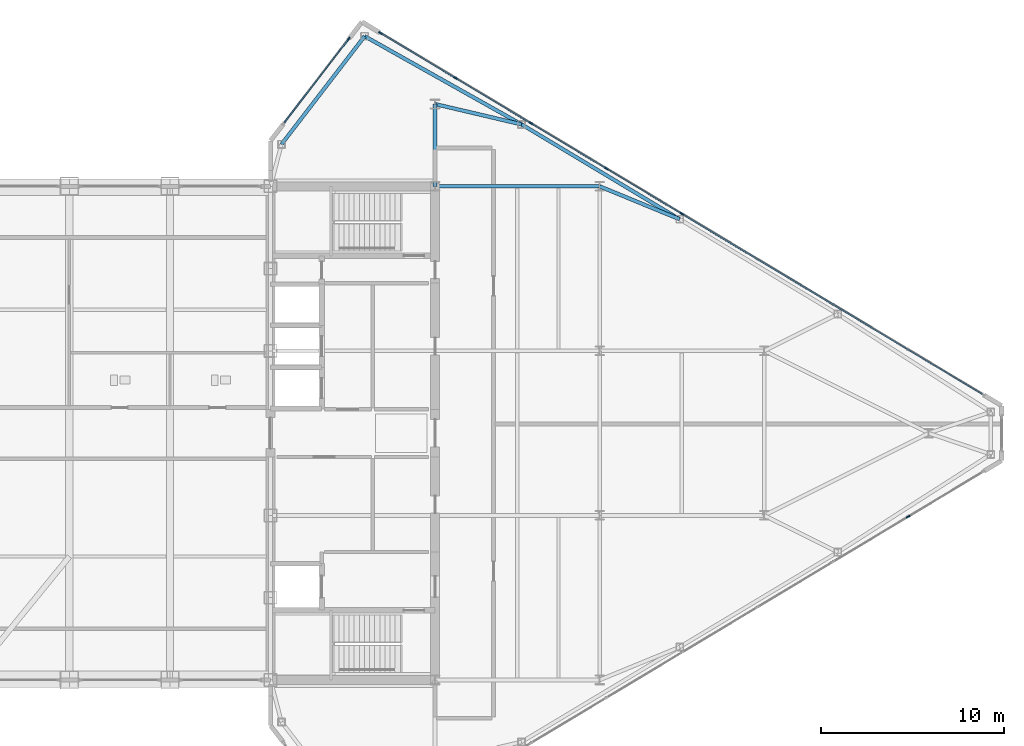
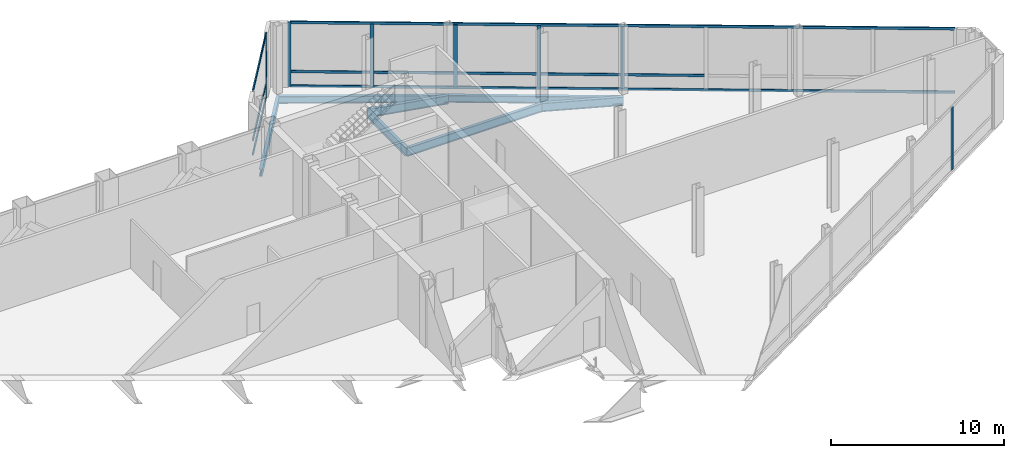
# One storey, part 17 of 29: 17 members, 7 beams, 3 elements without a shape of their own.
"""IFC4 building model written with IfcOpenShell, lengths in metres."""

import ifcopenshell
import ifcopenshell.guid

model = None  # the IFC model being written
_history = None  # IfcOwnerHistory: only IFC2X3 demands one
_inside = {}  # id of a spatial element -> (the spatial element, [elements in it])
_under = {}  # id of a project, library or spatial element -> (it, [spatial elements below it])
_declared = {}  # id of a project -> (the project, [libraries it declares])
_typed = {}  # id of a type object -> (the type object, [elements of that type])
_made_of = {}  # id of a material, layer set ... -> (it, [elements and type objects made of it])


def new_model(schema):
    """Start an empty IFC model of exactly this schema.

    Asked for "IFC4X3", IfcOpenShell would pick the latest addendum, in which some entities
    have other attributes; the version numbers below select the first issue.
    IFC2X3 requires an IfcOwnerHistory on every rooted entity: one is made here for all.
    """
    global model, _history
    if schema == "IFC4X3":
        model = ifcopenshell.file(schema_version=(4, 3, 0, 0))
    else:
        model = ifcopenshell.file(schema=schema)
    _inside.clear()
    _under.clear()
    _declared.clear()
    _typed.clear()
    _made_of.clear()
    _history = None
    if model.schema == "IFC2X3":
        org = make("IfcOrganization", Name="unknown")
        user = make(
            "IfcPersonAndOrganization",
            ThePerson=make("IfcPerson", FamilyName="unknown"),
            TheOrganization=org,
        )
        app = make(
            "IfcApplication",
            ApplicationDeveloper=org,
            Version="unknown",
            ApplicationFullName="unknown",
            ApplicationIdentifier="unknown",
        )
        _history = make(
            "IfcOwnerHistory",
            OwningUser=user,
            OwningApplication=app,
            ChangeAction="ADDED",
            CreationDate=0,
        )
    return model


def make(cls, **values):
    """One entity of the class cls with the attributes given. An attribute that is None is left unset."""
    return model.create_entity(
        cls, **{name: value for name, value in values.items() if value is not None}
    )


def rooted(cls, **values):
    """An entity with a GlobalId (a new one), such as an element, a storey or a relation."""
    return make(cls, GlobalId=ifcopenshell.guid.new(), OwnerHistory=_history, **values)


def si_unit(unit_type, name, prefix=None):
    """IfcSIUnit, for example si_unit("LENGTHUNIT", "METRE", prefix="MILLI")."""
    return make("IfcSIUnit", UnitType=unit_type, Prefix=prefix, Name=name)


def assignment(units):
    """IfcUnitAssignment: the units of a project."""
    return None if units is None else make("IfcUnitAssignment", Units=units)


def point(xyz):
    """IfcCartesianPoint."""
    return None if xyz is None else make("IfcCartesianPoint", Coordinates=xyz)


def direction(xyz):
    """IfcDirection."""
    return None if xyz is None else make("IfcDirection", DirectionRatios=xyz)


def frame(location, z_axis=None, x_axis=None):
    """IfcAxis2Placement3D, a coordinate frame: its origin and axes. An axis left out is left unset."""
    return make(
        "IfcAxis2Placement3D",
        Location=point(location),
        Axis=direction(z_axis),
        RefDirection=direction(x_axis),
    )


def frame_2d(location, x_axis=None):
    """IfcAxis2Placement2D, a coordinate frame in the plane: its origin and x axis."""
    return make(
        "IfcAxis2Placement2D", Location=point(location), RefDirection=direction(x_axis)
    )


def origin():
    """The frame at (0, 0, 0) with its axes left unset."""
    return frame((0.0, 0.0, 0.0))


def origin_2d():
    """The frame at (0, 0) in the plane with its x axis left unset."""
    return frame_2d((0.0, 0.0))


def place(relative_to, where):
    """IfcLocalPlacement: puts the frame where relative to a parent placement (None: the world)."""
    return make(
        "IfcLocalPlacement", PlacementRelTo=relative_to, RelativePlacement=where
    )


def context(
    kind, dimensions, precision=None, world=None, true_north=None, identifier=None
):
    """IfcGeometricRepresentationContext, for example the 3D "Model" context."""
    return make(
        "IfcGeometricRepresentationContext",
        ContextIdentifier=identifier,
        ContextType=kind,
        CoordinateSpaceDimension=dimensions,
        Precision=precision,
        WorldCoordinateSystem=world,
        TrueNorth=true_north,
    )


def subcontext(parent, identifier, kind, view, scale=None):
    """IfcGeometricRepresentationSubContext, for example "Body" below "Model"."""
    return make(
        "IfcGeometricRepresentationSubContext",
        ContextIdentifier=identifier,
        ContextType=kind,
        ParentContext=parent,
        TargetScale=scale,
        TargetView=view,
    )


def project(units=None, contexts=None):
    """IfcProject with its units and contexts."""
    return rooted(
        "IfcProject",
        Name="project",
        RepresentationContexts=contexts,
        UnitsInContext=assignment(units),
    )


def spatial(cls, under=None, at=None, **own):
    """A site, building, storey or space (cls), placed at a placement, below another one or the project."""
    s = rooted(cls, ObjectPlacement=at, **own)
    if under is not None:
        _under.setdefault(under.id(), (under, []))[1].append(s)
    return s


def profile(cls, at=None, kind="AREA", **sizes):
    """A parametric profile (cls). Its sizes go by their IFC names, for example OverallWidth=200.0."""
    return make(cls, ProfileType=kind, Position=at, **sizes)


def rectangle(**sizes):
    """IfcRectangleProfileDef."""
    return profile("IfcRectangleProfileDef", **sizes)


def i_section(**sizes):
    """IfcIShapeProfileDef."""
    return profile("IfcIShapeProfileDef", **sizes)


def extrude(swept, where, along, depth):
    """IfcExtrudedAreaSolid: the profile swept, set in the frame where, extruded along a direction by depth."""
    return make(
        "IfcExtrudedAreaSolid",
        SweptArea=swept,
        Position=where,
        ExtrudedDirection=direction(along),
        Depth=depth,
    )


def shape(context_of_items, identifier, shape_type, items):
    """IfcShapeRepresentation: the items that make up one representation, for example the "Body"."""
    return make(
        "IfcShapeRepresentation",
        ContextOfItems=context_of_items,
        RepresentationIdentifier=identifier,
        RepresentationType=shape_type,
        Items=items,
    )


def source(mapping_origin, context_of_items, identifier, shape_type, items):
    """IfcRepresentationMap: a shape defined once, which mapped items show again and again."""
    return make(
        "IfcRepresentationMap",
        MappingOrigin=mapping_origin,
        MappedRepresentation=shape(context_of_items, identifier, shape_type, items),
    )


def transform(
    local_origin,
    x_axis=None,
    y_axis=None,
    z_axis=None,
    scale=None,
    scale2=None,
    scale3=None,
    uniform=True,
):
    """IfcCartesianTransformationOperator3D, or its non-uniform kind. x_axis, y_axis, z_axis: its Axis1, 2, 3."""
    if uniform:
        return make(
            "IfcCartesianTransformationOperator3D",
            Axis1=direction(x_axis),
            Axis2=direction(y_axis),
            LocalOrigin=point(local_origin),
            Scale=scale,
            Axis3=direction(z_axis),
        )
    return make(
        "IfcCartesianTransformationOperator3DnonUniform",
        Axis1=direction(x_axis),
        Axis2=direction(y_axis),
        LocalOrigin=point(local_origin),
        Scale=scale,
        Axis3=direction(z_axis),
        Scale2=scale2,
        Scale3=scale3,
    )


def mapped(mapping_source, mapping_target):
    """IfcMappedItem: shows the shape of a source again, moved by a transform."""
    return make(
        "IfcMappedItem", MappingSource=mapping_source, MappingTarget=mapping_target
    )


def material(Name=None, Category=None):
    """IfcMaterial."""
    return make("IfcMaterial", Name=Name, Category=Category)


def layer(
    of_material, thickness, ventilated=None, Name=None, Category=None, Priority=None
):
    """IfcMaterialLayer: one layer of a wall or slab, of a material (None: an air gap)."""
    return make(
        "IfcMaterialLayer",
        Material=of_material,
        LayerThickness=thickness,
        IsVentilated=ventilated,
        Name=Name,
        Category=Category,
        Priority=Priority,
    )


def layer_set(layers, Name=None):
    """IfcMaterialLayerSet."""
    return make("IfcMaterialLayerSet", MaterialLayers=layers, LayerSetName=Name)


def material_profile(
    of_material, cross_section, Name=None, Category=None, Priority=None
):
    """IfcMaterialProfile: a cross section and its material."""
    return make(
        "IfcMaterialProfile",
        Name=Name,
        Material=of_material,
        Profile=cross_section,
        Priority=Priority,
        Category=Category,
    )


def profile_set(profiles, Name=None, composite=None):
    """IfcMaterialProfileSet."""
    return make(
        "IfcMaterialProfileSet",
        Name=Name,
        MaterialProfiles=profiles,
        CompositeProfile=composite,
    )


def made_of(thing, what):
    """Note that an element or type object is made of a material, layer set ...; save() writes the relation."""
    if what is not None:
        _made_of.setdefault(what.id(), (what, []))[1].append(thing)
    return thing


def type_object(cls, material=None, **own):
    """A type object (cls), such as IfcWallType, which elements share."""
    return made_of(rooted(cls, **own), material)


def type_shapes(of_type, sources):
    """Give a type object the sources (RepresentationMaps) that its elements show as mapped items."""
    of_type.RepresentationMaps = sources


def element(
    cls,
    number,
    at=None,
    inside=None,
    cuts=None,
    type_object=None,
    material=None,
    context=None,
    identifier="Body",
    shape_type=None,
    held_by="IfcProductDefinitionShape",
    body=None,
    shapes=None,
    **own,
):
    """One element of the class cls, such as IfcWall. Its Tag is "e" and its number.

    at: its placement. inside: the storey or other place that contains it. cuts: it is an
    opening in that element (IfcRelVoidsElement). A single representation is given by context,
    identifier, shape_type and body (its items); several are given by shapes. held_by: the class
    of the entity that holds the representations. save() writes the other relations.
    """
    e = rooted(cls, Tag="e%d" % number, ObjectPlacement=at, **own)
    if body is not None:
        shapes = [shape(context, identifier, shape_type, body)]
    if shapes is not None:
        e.Representation = make(held_by, Representations=shapes)
    if inside is not None:
        _inside.setdefault(inside.id(), (inside, []))[1].append(e)
    if cuts is not None:
        rooted(
            "IfcRelVoidsElement", RelatingBuildingElement=cuts, RelatedOpeningElement=e
        )
    if type_object is not None:
        _typed.setdefault(type_object.id(), (type_object, []))[1].append(e)
    return made_of(e, material)


def aggregate(whole, parts):
    """IfcRelAggregates: a whole, such as a stair, and the parts it consists of."""
    return rooted("IfcRelAggregates", RelatingObject=whole, RelatedObjects=parts)


def save(model, path):
    """Write the relations noted so far, then the file.

    IfcRelAggregates (storeys below a building ...), IfcRelContainedInSpatialStructure (elements
    in a storey), IfcRelDefinesByType, IfcRelAssociatesMaterial and IfcRelDeclares: one each for
    every whole, place, type object, material and project.
    """
    for whole, parts in _under.values():
        aggregate(whole, parts)
    for where, things in _inside.values():
        rooted(
            "IfcRelContainedInSpatialStructure",
            RelatedElements=things,
            RelatingStructure=where,
        )
    for kind, things in _typed.values():
        rooted("IfcRelDefinesByType", RelatedObjects=things, RelatingType=kind)
    for what, things in _made_of.values():
        rooted("IfcRelAssociatesMaterial", RelatedObjects=things, RelatingMaterial=what)
    for by, libraries in _declared.values():
        rooted("IfcRelDeclares", RelatingContext=by, RelatedDefinitions=libraries)
    model.write(path)


model = new_model("IFC4")

# Units and contexts
model_context = context("Model", 3, precision=1e-05, world=origin(), true_north=direction((0.0, 1.0)))
body_context = subcontext(model_context, "Body", "Model", "MODEL_VIEW")
ifc_project = project(units=[si_unit("LENGTHUNIT", "METRE"), si_unit("AREAUNIT", "SQUARE_METRE"), si_unit("VOLUMEUNIT", "CUBIC_METRE"), si_unit("PLANEANGLEUNIT", "RADIAN"), si_unit("MASSUNIT", "GRAM", prefix="KILO")], contexts=[model_context])

# Site, building, storey
site_placement = place(None, origin())
site = spatial("IfcSite", under=ifc_project, at=site_placement, CompositionType="ELEMENT")
building_placement = place(site_placement, origin())
building = spatial("IfcBuilding", under=site, at=building_placement, Name="Seokmaru Belvedere", CompositionType="ELEMENT")
storey_placement = place(building_placement, frame((0.0, 0.0, 229.800048828125)))
storey = spatial("IfcBuildingStorey", under=building, at=storey_placement, Name="L61", CompositionType="ELEMENT", Elevation=229.800048828125)

# Beams
ifc_material_1 = material(Name="Steel SM355 (355 MPa)", Category="steel")
ifc_material_profile_1 = material_profile(ifc_material_1, i_section(OverallWidth=0.199951171875, OverallDepth=0.60009765625, WebThickness=0.010986328125, FlangeThickness=0.01708984375, at=origin_2d()), Name="H-600x200x11x17")
ifc_profile_set_1 = profile_set([ifc_material_profile_1], Name="Steel SM355 (355 MPa)")
beam_type_1 = type_object("IfcBeamType", Name="Primary Floor Girder H-600", PredefinedType="BEAM", material=ifc_profile_set_1)
shared_shape_1 = source(origin(), body_context, "Body", "SweptSolid", [
    extrude(i_section(OverallWidth=0.199951171875, OverallDepth=0.60009765625, WebThickness=0.010986328125, FlangeThickness=0.01708984375, at=origin_2d()), origin(), (0.0, 0.0, 1.0), 9.0),
])
beam_1_placement = place(storey_placement, frame((36.5, 13.5, -0.56005859375), z_axis=(1.0, 0.0, 0.0), x_axis=(0.0, 1.0, 0.0)))
element("IfcBeam", 1, at=beam_1_placement, inside=storey, type_object=beam_type_1, Name="L61 E Wing Primary Girder 4", PredefinedType="BEAM", context=body_context, shape_type="MappedRepresentation", body=[
    mapped(shared_shape_1, transform((0.0, 0.0, 0.0), scale=1.0)),
])
shared_shape_2 = source(origin(), body_context, "Body", "SweptSolid", [
    extrude(i_section(OverallWidth=0.199951171875, OverallDepth=0.60009765625, WebThickness=0.010986328125, FlangeThickness=0.01708984375, at=origin_2d()), origin(), (0.0, 0.0, 1.0), 4.5),
])
beam_2_placement = place(storey_placement, frame((36.5, 13.5, -0.56005859375), z_axis=(0.0, 1.0, 0.0), x_axis=(-1.0, 0.0, 0.0)))
element("IfcBeam", 2, at=beam_2_placement, inside=storey, type_object=beam_type_1, Name="L61 E Core Shoulder Girder N", PredefinedType="BEAM", context=body_context, shape_type="MappedRepresentation", body=[
    mapped(shared_shape_2, transform((0.0, 0.0, 0.0), scale=1.0)),
])
ifc_material_profile_2 = material_profile(ifc_material_1, i_section(OverallWidth=0.199951171875, OverallDepth=0.5, WebThickness=0.010009765625, FlangeThickness=0.01611328125, at=origin_2d()), Name="H-500x200x10x16")
ifc_profile_set_2 = profile_set([ifc_material_profile_2], Name="Steel SM355 (355 MPa)")
beam_type_2 = type_object("IfcBeamType", Name="Perimeter Spandrel Beam H-500", PredefinedType="SPANDREL", material=ifc_profile_set_2)
shared_shape_3 = source(origin(), body_context, "Body", "SweptSolid", [
    extrude(i_section(OverallWidth=0.199951171875, OverallDepth=0.5, WebThickness=0.010009765625, FlangeThickness=0.01611328125, at=origin_2d()), origin(), (0.0, 0.0, 1.0), 9.842041015625),
])
beam_3_placement = place(storey_placement, frame((32.649658203125, 21.71044921875, -0.510009765625), z_axis=(0.871782151818, -0.489893743349, 0.0), x_axis=(0.489893743349, 0.871782151818, 0.0)))
element("IfcBeam", 3, at=beam_3_placement, inside=storey, type_object=beam_type_2, Name="L61 E Faceted Flank Spandrel N-1", PredefinedType="SPANDREL", context=body_context, shape_type="MappedRepresentation", body=[
    mapped(shared_shape_3, transform((0.0, 0.0, 0.0), scale=1.0)),
])
shared_shape_4 = source(origin(), body_context, "Body", "SweptSolid", [
    extrude(i_section(OverallWidth=0.199951171875, OverallDepth=0.5, WebThickness=0.010009765625, FlangeThickness=0.01611328125, at=origin_2d()), origin(), (0.0, 0.0, 1.0), 10.087646484375),
])
beam_4_placement = place(storey_placement, frame((41.229736328125, 16.888916015625, -0.510009765625), z_axis=(0.857499332045, -0.514485078056, 0.0), x_axis=(0.514485078056, 0.857499332045, 0.0)))
element("IfcBeam", 4, at=beam_4_placement, inside=storey, type_object=beam_type_2, Name="L61 E Faceted Flank Spandrel N-2", PredefinedType="SPANDREL", context=body_context, shape_type="MappedRepresentation", body=[
    mapped(shared_shape_4, transform((0.0, 0.0, 0.0), scale=1.0)),
])
shared_shape_5 = source(origin(), body_context, "Body", "SweptSolid", [
    extrude(i_section(OverallWidth=0.199951171875, OverallDepth=0.5, WebThickness=0.010009765625, FlangeThickness=0.01611328125, at=origin_2d()), origin(), (0.0, 0.0, 1.0), 7.4619140625),
])
type_shapes(beam_type_2, [shared_shape_3, shared_shape_4, shared_shape_5])
beam_5_placement = place(storey_placement, frame((32.649658203125, 21.71044921875, -0.510009765625), z_axis=(-0.609702854945, -0.792630070507, 0.0), x_axis=(0.792630070507, -0.609702854945, 0.0)))
element("IfcBeam", 5, at=beam_5_placement, inside=storey, type_object=beam_type_2, Name="L61 E Shoulder Chamfer Spandrel N", PredefinedType="SPANDREL", context=body_context, shape_type="MappedRepresentation", body=[
    mapped(shared_shape_5, transform((0.0, 0.0, 0.0), scale=1.0)),
])
shared_shape_6 = source(origin(), body_context, "Body", "SweptSolid", [
    extrude(i_section(OverallWidth=0.199951171875, OverallDepth=0.60009765625, WebThickness=0.010986328125, FlangeThickness=0.01708984375, at=origin_2d()), origin(), (0.0, 0.0, 1.0), 4.8583984375),
])
beam_6_placement = place(storey_placement, frame((41.229736328125, 16.888916015625, -0.56005859375), z_axis=(-0.97349948295, 0.228689214211, 0.0), x_axis=(-0.228689214211, -0.97349948295, 0.0)))
element("IfcBeam", 6, at=beam_6_placement, inside=storey, type_object=beam_type_1, Name="L61 E Flank Radial Floor Girder N-1", PredefinedType="BEAM", context=body_context, shape_type="MappedRepresentation", body=[
    mapped(shared_shape_6, transform((0.0, 0.0, 0.0), scale=1.0)),
])
shared_shape_7 = source(origin(), body_context, "Body", "SweptSolid", [
    extrude(i_section(OverallWidth=0.199951171875, OverallDepth=0.60009765625, WebThickness=0.010986328125, FlangeThickness=0.01708984375, at=origin_2d()), origin(), (0.0, 0.0, 1.0), 4.73583984375),
])
type_shapes(beam_type_1, [shared_shape_1, shared_shape_2, shared_shape_6, shared_shape_7])
beam_7_placement = place(storey_placement, frame((49.8798828125, 11.698974609375, -0.56005859375), z_axis=(-0.924860562953, 0.380306375301, 0.0), x_axis=(-0.380306375301, -0.924860562953, 0.0)))
element("IfcBeam", 7, at=beam_7_placement, inside=storey, type_object=beam_type_1, Name="L61 E Flank Radial Floor Girder N-2", PredefinedType="BEAM", context=body_context, shape_type="MappedRepresentation", body=[
    mapped(shared_shape_7, transform((0.0, 0.0, 0.0), scale=1.0)),
])

# Curtain wall, member
ifc_material_2 = material(Name="Bronze Triple Insulating Glass", Category="glass")
ifc_layer = layer(ifc_material_2, 0.219970703125)
ifc_layer_set = layer_set([ifc_layer], Name="Bronze Triple Insulating Glass")
curtain_wall_type = type_object("IfcCurtainWallType", Name="Sky-Gate Bridge Panorama Curtain Wall System CW-6", PredefinedType="NOTDEFINED", material=ifc_layer_set)
curtain_wall_1_placement = place(storey_placement, origin())
curtain_wall_1 = element("IfcCurtainWall", 8, at=curtain_wall_1_placement, inside=storey, type_object=curtain_wall_type, Name="L61 Curtain Wall EF3", PredefinedType="NOTDEFINED")
ifc_material_3 = material(Name="Anodised Bronze Aluminium", Category="aluminium")
ifc_material_profile_3 = material_profile(ifc_material_3, rectangle(XDim=0.080078125, YDim=0.219970703125, at=origin_2d()), Name="CW-M-80x220")
ifc_profile_set_3 = profile_set([ifc_material_profile_3], Name="Anodised Bronze Aluminium")
member_type_1 = type_object("IfcMemberType", Name="Bronze Unitised Mullion 80x220", PredefinedType="MULLION", material=ifc_profile_set_3)
shared_shape_8 = source(origin(), body_context, "Body", "SweptSolid", [
    extrude(rectangle(XDim=0.080078125, YDim=0.219970703125, at=origin_2d()), origin(), (0.0, 0.0, 1.0), 4.5400390625),
])
member_1_placement = place(storey_placement, frame((33.5205078125, 21.8876953125, 0.0), z_axis=(0.0, 0.0, 1.0), x_axis=(-0.514494909364, -0.85749343335, 0.0)))
member_1 = element("IfcMember", 9, at=member_1_placement, type_object=member_type_1, Name="CW:L61:EF3 Mullion 9", PredefinedType="MULLION", context=body_context, shape_type="MappedRepresentation", body=[
    mapped(shared_shape_8, transform((0.0, 0.0, 0.0), scale=1.0)),
])

# Curtain wall, members
curtain_wall_2_placement = place(storey_placement, origin())
curtain_wall_2 = element("IfcCurtainWall", 10, at=curtain_wall_2_placement, inside=storey, type_object=curtain_wall_type, Name="L61 Curtain Wall EF4", PredefinedType="NOTDEFINED")
member_2_placement = place(storey_placement, frame((31.7744140625, 21.556884765625, 0.0), z_axis=(0.0, 0.0, 1.0), x_axis=(0.792631353244, -0.609701187349, 0.0)))
member_2 = element("IfcMember", 11, at=member_2_placement, type_object=member_type_1, Name="CW:L61:EF4 Mullion 1", PredefinedType="MULLION", context=body_context, shape_type="MappedRepresentation", body=[
    mapped(shared_shape_8, transform((0.0, 0.0, 0.0), scale=1.0)),
])
ifc_material_profile_4 = material_profile(ifc_material_3, rectangle(XDim=0.074951171875, YDim=0.179931640625, at=origin_2d()), Name="CW-T-75x180")
ifc_profile_set_4 = profile_set([ifc_material_profile_4], Name="Anodised Bronze Aluminium")
member_type_2 = type_object("IfcMemberType", Name="Bronze Unitised Transom 75x180", PredefinedType="USERDEFINED", material=ifc_profile_set_4)
shared_shape_9 = source(origin(), body_context, "Body", "SweptSolid", [
    extrude(rectangle(XDim=0.074951171875, YDim=0.179931640625, at=origin_2d()), origin(), (0.0, 0.0, 1.0), 5.74072265625),
])
member_3_placement = place(storey_placement, frame((31.75, 21.525146484375, 0.037353515625), z_axis=(-0.609686097287, -0.792642960465, 0.0), x_axis=(0.792642960465, -0.609686097287, 0.0)))
member_3 = element("IfcMember", 12, at=member_3_placement, type_object=member_type_2, Name="CW:L61:EF4 Continuous Transom 1", ObjectType="TRANSOM", PredefinedType="USERDEFINED", context=body_context, shape_type="MappedRepresentation", body=[
    mapped(shared_shape_9, transform((0.0, 0.0, 0.0), scale=1.0)),
])
member_4_placement = place(storey_placement, frame((31.75, 21.525146484375, 4.50244140625), z_axis=(-0.609686097287, -0.792642960465, 0.0), x_axis=(0.792642960465, -0.609686097287, 0.0)))
member_4 = element("IfcMember", 13, at=member_4_placement, type_object=member_type_2, Name="CW:L61:EF4 Continuous Transom 2", ObjectType="TRANSOM", PredefinedType="USERDEFINED", context=body_context, shape_type="MappedRepresentation", body=[
    mapped(shared_shape_9, transform((0.0, 0.0, 0.0), scale=1.0)),
])
member_5_placement = place(storey_placement, frame((31.75, 21.525146484375, 1.050048828125), z_axis=(-0.609686097287, -0.792642960465, 0.0), x_axis=(0.792642960465, -0.609686097287, 0.0)))
member_5 = element("IfcMember", 14, at=member_5_placement, type_object=member_type_2, Name="CW:L61:EF4 Spandrel Transom 1", ObjectType="TRANSOM", PredefinedType="USERDEFINED", context=body_context, shape_type="MappedRepresentation", body=[
    mapped(shared_shape_9, transform((0.0, 0.0, 0.0), scale=1.0)),
])
aggregate(curtain_wall_2, [member_2, member_3, member_4, member_5])

# Curtain wall, member
curtain_wall_3_placement = place(storey_placement, origin())
curtain_wall_3 = element("IfcCurtainWall", 15, at=curtain_wall_3_placement, inside=storey, type_object=curtain_wall_type, Name="L61 Curtain Wall EF1", PredefinedType="NOTDEFINED")
shared_shape_10 = source(origin(), body_context, "Body", "SweptSolid", [
    extrude(rectangle(XDim=0.080078125, YDim=0.219970703125, at=origin_2d()), origin(), (0.0, 0.0, 1.0), 4.389892578125),
])
type_shapes(member_type_1, [shared_shape_8, shared_shape_10])
member_6_placement = place(storey_placement, frame((62.385498046875, -4.56884765625, 0.074951171875), z_axis=(0.0, 0.0, 1.0), x_axis=(-0.514494909364, 0.85749343335, 0.0)))
member_6 = element("IfcMember", 16, at=member_6_placement, type_object=member_type_1, Name="CW:L61:EF1 Mullion 8", PredefinedType="MULLION", context=body_context, shape_type="MappedRepresentation", body=[
    mapped(shared_shape_10, transform((0.0, 0.0, 0.0), scale=1.0)),
])
aggregate(curtain_wall_3, [member_6])

# Member
member_7_placement = place(storey_placement, frame((50.0, 12.0, 0.074951171875), z_axis=(0.0, 0.0, 1.0), x_axis=(-0.514494909364, -0.85749343335, 0.0)))
member_7 = element("IfcMember", 17, at=member_7_placement, type_object=member_type_1, Name="CW:L61:EF3 Mullion 5", PredefinedType="MULLION", context=body_context, shape_type="MappedRepresentation", body=[
    mapped(shared_shape_10, transform((0.0, 0.0, 0.0), scale=1.0)),
])

member_8_placement = place(storey_placement, frame((45.87158203125, 14.47705078125, 0.074951171875), z_axis=(0.0, 0.0, 1.0), x_axis=(-0.514494909364, -0.85749343335, 0.0)))
member_8 = element("IfcMember", 18, at=member_8_placement, type_object=member_type_1, Name="CW:L61:EF3 Mullion 6", PredefinedType="MULLION", context=body_context, shape_type="MappedRepresentation", body=[
    mapped(shared_shape_10, transform((0.0, 0.0, 0.0), scale=1.0)),
])

member_9_placement = place(storey_placement, frame((41.742919921875, 16.9541015625, 0.074951171875), z_axis=(0.0, 0.0, 1.0), x_axis=(-0.514494909364, -0.85749343335, 0.0)))
member_9 = element("IfcMember", 19, at=member_9_placement, type_object=member_type_1, Name="CW:L61:EF3 Mullion 7", PredefinedType="MULLION", context=body_context, shape_type="MappedRepresentation", body=[
    mapped(shared_shape_10, transform((0.0, 0.0, 0.0), scale=1.0)),
])

member_10_placement = place(storey_placement, frame((37.614501953125, 19.43115234375, 0.074951171875), z_axis=(0.0, 0.0, 1.0), x_axis=(-0.514494909364, -0.85749343335, 0.0)))
member_10 = element("IfcMember", 20, at=member_10_placement, type_object=member_type_1, Name="CW:L61:EF3 Mullion 8", PredefinedType="MULLION", context=body_context, shape_type="MappedRepresentation", body=[
    mapped(shared_shape_10, transform((0.0, 0.0, 0.0), scale=1.0)),
])

shared_shape_11 = source(origin(), body_context, "Body", "SweptSolid", [
    extrude(rectangle(XDim=0.074951171875, YDim=0.179931640625, at=origin_2d()), origin(), (0.0, 0.0, 1.0), 38.356689453125),
])
member_11_placement = place(storey_placement, frame((66.4453125, 2.1328125, 0.037353515625), z_axis=(-0.857492925713, 0.514495755428, 0.0), x_axis=(-0.514495755428, -0.857492925713, 0.0)))
member_11 = element("IfcMember", 21, at=member_11_placement, type_object=member_type_2, Name="CW:L61:EF3 Continuous Transom 1", ObjectType="TRANSOM", PredefinedType="USERDEFINED", context=body_context, shape_type="MappedRepresentation", body=[
    mapped(shared_shape_11, transform((0.0, 0.0, 0.0), scale=1.0)),
])

member_12_placement = place(storey_placement, frame((66.4453125, 2.1328125, 4.50244140625), z_axis=(-0.857492925713, 0.514495755428, 0.0), x_axis=(-0.514495755428, -0.857492925713, 0.0)))
member_12 = element("IfcMember", 22, at=member_12_placement, type_object=member_type_2, Name="CW:L61:EF3 Continuous Transom 2", ObjectType="TRANSOM", PredefinedType="USERDEFINED", context=body_context, shape_type="MappedRepresentation", body=[
    mapped(shared_shape_11, transform((0.0, 0.0, 0.0), scale=1.0)),
])

shared_shape_12 = source(origin(), body_context, "Body", "SweptSolid", [
    extrude(rectangle(XDim=0.074951171875, YDim=0.179931640625, at=origin_2d()), origin(), (0.0, 0.0, 1.0), 4.694580078125),
])
member_13_placement = place(storey_placement, frame((37.580322265625, 19.451904296875, 1.050048828125), z_axis=(-0.85750210284, 0.514480459906, 0.0), x_axis=(-0.514480459906, -0.85750210284, 0.0)))
member_13 = element("IfcMember", 23, at=member_13_placement, type_object=member_type_2, Name="CW:L61:EF3 Spandrel Transom 8", ObjectType="TRANSOM", PredefinedType="USERDEFINED", context=body_context, shape_type="MappedRepresentation", body=[
    mapped(shared_shape_12, transform((0.0, 0.0, 0.0), scale=1.0)),
])

shared_shape_13 = source(origin(), body_context, "Body", "SweptSolid", [
    extrude(rectangle(XDim=0.074951171875, YDim=0.179931640625, at=origin_2d()), origin(), (0.0, 0.0, 1.0), 4.734619140625),
])
member_14_placement = place(storey_placement, frame((41.708740234375, 16.974609375, 1.050048828125), z_axis=(-0.857479275774, 0.514518504641, 0.0), x_axis=(-0.514518504641, -0.857479275774, 0.0)))
member_14 = element("IfcMember", 24, at=member_14_placement, type_object=member_type_2, Name="CW:L61:EF3 Spandrel Transom 7", ObjectType="TRANSOM", PredefinedType="USERDEFINED", context=body_context, shape_type="MappedRepresentation", body=[
    mapped(shared_shape_13, transform((0.0, 0.0, 0.0), scale=1.0)),
])

shared_shape_14 = source(origin(), body_context, "Body", "SweptSolid", [
    extrude(rectangle(XDim=0.074951171875, YDim=0.179931640625, at=origin_2d()), origin(), (0.0, 0.0, 1.0), 4.734375),
])
member_15_placement = place(storey_placement, frame((45.837158203125, 14.497802734375, 1.050048828125), z_axis=(-0.857502025578, 0.514480588682, 0.0), x_axis=(-0.514480588682, -0.857502025578, 0.0)))
member_15 = element("IfcMember", 25, at=member_15_placement, type_object=member_type_2, Name="CW:L61:EF3 Spandrel Transom 6", ObjectType="TRANSOM", PredefinedType="USERDEFINED", context=body_context, shape_type="MappedRepresentation", body=[
    mapped(shared_shape_14, transform((0.0, 0.0, 0.0), scale=1.0)),
])

shared_shape_15 = source(origin(), body_context, "Body", "SweptSolid", [
    extrude(rectangle(XDim=0.074951171875, YDim=0.179931640625, at=origin_2d()), origin(), (0.0, 0.0, 1.0), 4.73486328125),
])
type_shapes(member_type_2, [shared_shape_9, shared_shape_11, shared_shape_12, shared_shape_13, shared_shape_14, shared_shape_15])
member_16_placement = place(storey_placement, frame((54.09423828125, 9.54345703125, 1.050048828125), z_axis=(-0.857492925713, 0.514495755428, 0.0), x_axis=(-0.514495755428, -0.857492925713, 0.0)))
member_16 = element("IfcMember", 26, at=member_16_placement, type_object=member_type_2, Name="CW:L61:EF3 Spandrel Transom 4", ObjectType="TRANSOM", PredefinedType="USERDEFINED", context=body_context, shape_type="MappedRepresentation", body=[
    mapped(shared_shape_15, transform((0.0, 0.0, 0.0), scale=1.0)),
])

member_17_placement = place(storey_placement, frame((49.9658203125, 12.0205078125, 1.050048828125), z_axis=(-0.857492925713, 0.514495755428, 0.0), x_axis=(-0.514495755428, -0.857492925713, 0.0)))
member_17 = element("IfcMember", 27, at=member_17_placement, type_object=member_type_2, Name="CW:L61:EF3 Spandrel Transom 5", ObjectType="TRANSOM", PredefinedType="USERDEFINED", context=body_context, shape_type="MappedRepresentation", body=[
    mapped(shared_shape_15, transform((0.0, 0.0, 0.0), scale=1.0)),
])

aggregate(curtain_wall_1, [member_7, member_8, member_9, member_10, member_1, member_11, member_12, member_16, member_17, member_15, member_14, member_13])

save(model, "model.ifc")
